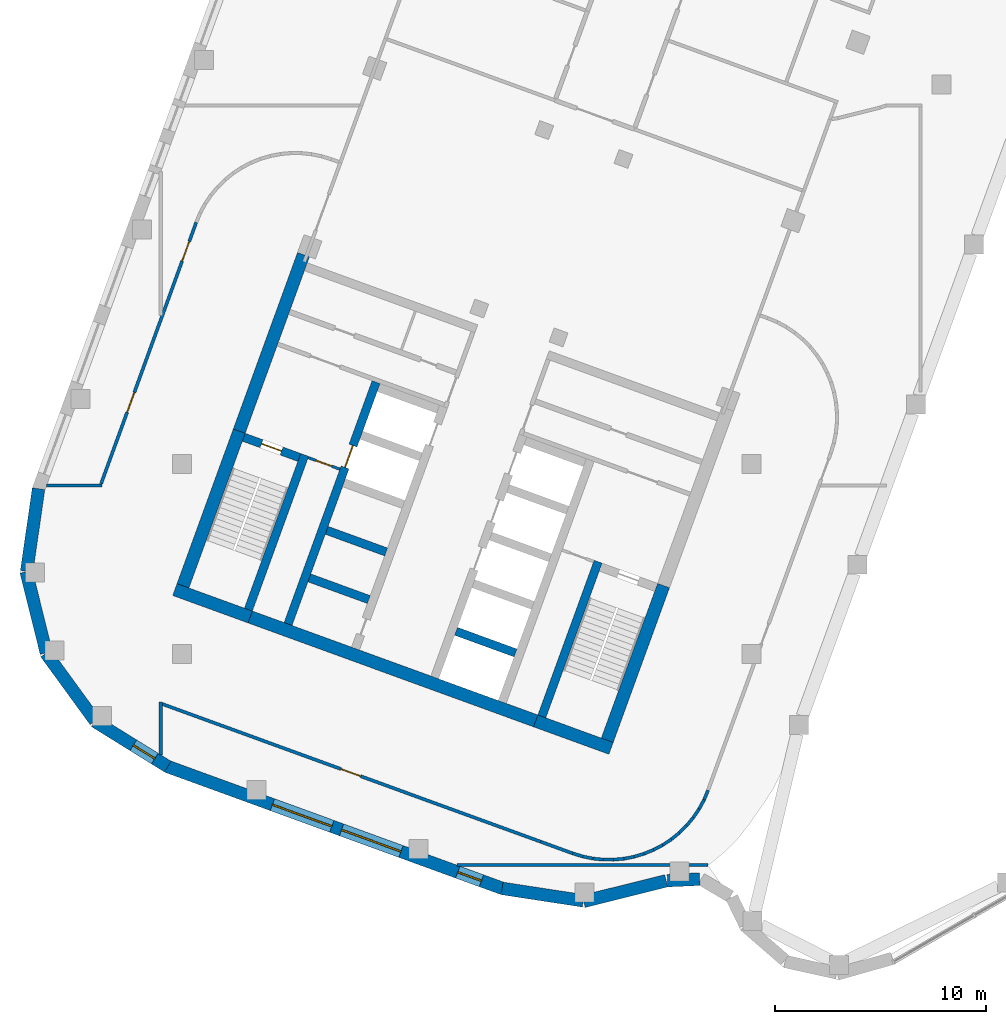
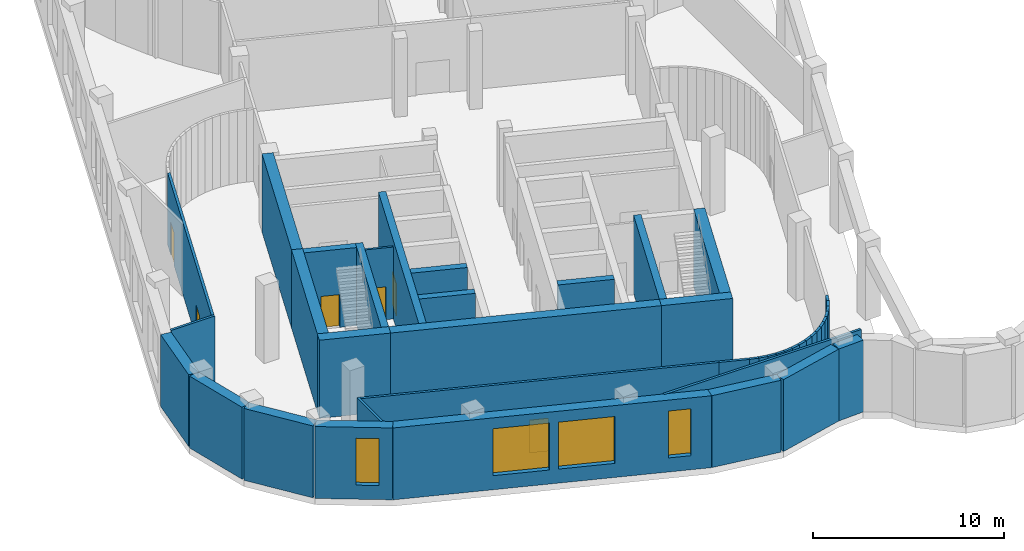
# One storey, part 10 of 25: 44 walls, 6 doors, 4 windows, 10 openings.
"""IFC4 building model written with IfcOpenShell, lengths in metres."""

from ifc_helpers import new_model, si_unit, direction, frame, frame_2d, origin, place, context, subcontext, project, spatial, rectangle, extrude, material, layer, layer_set, type_object, element, fill, save


model = new_model("IFC4")

# Units and contexts
model_context = context("Model", 3, precision=1e-05, world=origin(), true_north=direction((0.0, 1.0)))
body_context = subcontext(model_context, "Body", "Model", "MODEL_VIEW")
ifc_project = project(units=[si_unit("LENGTHUNIT", "METRE"), si_unit("AREAUNIT", "SQUARE_METRE"), si_unit("VOLUMEUNIT", "CUBIC_METRE"), si_unit("PLANEANGLEUNIT", "RADIAN"), si_unit("MASSUNIT", "GRAM", prefix="KILO")], contexts=[model_context])

# Site, building, storey
site_placement = place(None, origin())
site = spatial("IfcSite", under=ifc_project, at=site_placement, CompositionType="ELEMENT")
building_placement = place(site_placement, origin())
building = spatial("IfcBuilding", under=site, at=building_placement, Name="Skarvind Civic Tower", CompositionType="ELEMENT")
storey_placement = place(building_placement, frame((0.0, 0.0, 7.5)))
storey = spatial("IfcBuildingStorey", under=building, at=storey_placement, Name="L01", CompositionType="ELEMENT", Elevation=7.5)

# Walls
ifc_material_1 = material(Name="Concrete C80", Category="concrete")
ifc_layer_1 = layer(ifc_material_1, 0.39990234375)
ifc_layer_set_1 = layer_set([ifc_layer_1], Name="Core wall 400 C80")
wall_type_1 = type_object("IfcWallType", Name="Core wall 400 C80", PredefinedType="SHEAR", material=ifc_layer_set_1)
for number, where, z_axis, x_axis, name in (
    (1, (36.057861328125, 79.04833984375, 0.0), (0.0, 0.0, 1.0), (0.342016982193, 0.939693771338, 0.0), "Core wall C2 south stair inner L01"),
    (2, (22.150390625, 84.110107421875, 0.0), (0.0, 0.0, 1.0), (0.342016982193, 0.939693771338, 0.0), "Core wall C2 north stair inner L01"),
):
    element("IfcWall", number, at=place(storey_placement, frame(where, z_axis=z_axis, x_axis=x_axis)), inside=storey, type_object=wall_type_1, Name=name, PredefinedType="SHEAR", context=body_context, shape_type="SweptSolid", body=[
        extrude(rectangle(XDim=7.800048828125, YDim=0.39990234375, at=frame_2d((3.89990234375, 0.0))), origin(), (0.0, 0.0, 1.0), 5.0),
    ])

# Wall, opening, door
wall_1_placement = place(storey_placement, frame((24.56201171875, 91.3203125, 0.0), z_axis=(0.0, 0.0, 1.0), x_axis=(-0.939717030584, 0.341953070509, 0.0)))
wall_1 = element("IfcWall", 3, at=wall_1_placement, inside=storey, type_object=wall_type_1, Name="Core wall C2 north stair end L01", PredefinedType="SHEAR", context=body_context, shape_type="SweptSolid", body=[
    extrude(rectangle(XDim=2.800048828125, YDim=0.39990234375, at=frame_2d((1.39990234375, 0.0))), origin(), (0.0, 0.0, 1.0), 5.0),
])
opening_1_placement = place(wall_1_placement, frame((0.89990234375, 0.0, 0.0)))
opening_1 = element("IfcOpeningElement", 4, at=opening_1_placement, cuts=wall_1, Name="Opening D-L01-C2-08", PredefinedType="OPENING", context=body_context, shape_type="SweptSolid", body=[
    extrude(rectangle(XDim=1.0, YDim=2.10009765625, at=frame_2d((0.5, 1.050048828125))), frame((0.0, 0.2099609375, 0.0), z_axis=(0.0, -1.0, 0.0), x_axis=(1.0, 0.0, 0.0)), (0.0, 0.0, 1.0), 0.419921875),
])
ifc_material_2 = material(Name="Fire-rated steel door", Category="steel")
door_type_1 = type_object("IfcDoorType", Name="Fire door 1000", OperationType="NOTDEFINED", PredefinedType="DOOR", material=ifc_material_2)
door_1_placement = place(opening_1_placement, origin())
door_1 = element("IfcDoor", 5, at=door_1_placement, inside=storey, type_object=door_type_1, Name="Fire door", OperationType="SINGLE_SWING_LEFT", OverallHeight=2.10009765625, OverallWidth=1.0, PredefinedType="DOOR", context=body_context, shape_type="SweptSolid", body=[
    extrude(rectangle(XDim=1.0, YDim=2.10009765625, at=frame_2d((0.5, 1.050048828125))), frame((0.0, 0.02490234375, 0.0), z_axis=(0.0, -1.0, 0.0), x_axis=(1.0, 0.0, 0.0)), (0.0, 0.0, 1.0), 0.050048828125),
])
fill(opening_1, door_1)

# Wall
wall_2_placement = place(storey_placement, frame((34.8115234375, 82.055908203125, 0.0), z_axis=(0.0, 0.0, 1.0), x_axis=(-0.939686455819, 0.342037080957, 0.0)))
element("IfcWall", 6, at=wall_2_placement, inside=storey, type_object=wall_type_1, Name="Core wall C2 south lift row division 1 L01", PredefinedType="SHEAR", context=body_context, shape_type="SweptSolid", body=[
    extrude(rectangle(XDim=3.0, YDim=0.39990234375, at=frame_2d((1.5, 0.0))), origin(), (0.0, 0.0, 1.0), 5.0),
])

# Wall, opening, door
wall_3_placement = place(storey_placement, frame((24.02978515625, 83.426025390625, 0.0), z_axis=(0.0, 0.0, 1.0), x_axis=(0.342014590177, 0.939694641948, 0.0)))
wall_3 = element("IfcWall", 7, at=wall_3_placement, inside=storey, type_object=wall_type_1, Name="Core wall C2 north lift row back L01", PredefinedType="SHEAR", context=body_context, shape_type="SweptSolid", body=[
    extrude(rectangle(XDim=12.2001953125, YDim=0.39990234375, at=frame_2d((6.10009765625, 0.0))), origin(), (0.0, 0.0, 1.0), 5.0),
])
opening_2_placement = place(wall_3_placement, frame((7.89990234375, 0.0, 0.0)))
opening_2 = element("IfcOpeningElement", 8, at=opening_2_placement, cuts=wall_3, Name="Opening LD03204", PredefinedType="OPENING", context=body_context, shape_type="SweptSolid", body=[
    extrude(rectangle(XDim=1.10009765625, YDim=2.10009765625, at=frame_2d((0.550048828125, 1.050048828125))), frame((0.0, 0.2099609375, 0.0), z_axis=(0.0, -1.0, 0.0), x_axis=(1.0, 0.0, 0.0)), (0.0, 0.0, 1.0), 0.419921875),
])
ifc_material_3 = material(Name="Stainless steel landing door", Category="steel")
door_type_2 = type_object("IfcDoorType", Name="Lift landing door 1100", OperationType="DOUBLE_DOOR_SLIDING", PredefinedType="DOOR", material=ifc_material_3)
door_2_placement = place(opening_2_placement, origin())
door_2 = element("IfcDoor", 9, at=door_2_placement, inside=storey, type_object=door_type_2, Name="Lift landing door", OperationType="DOUBLE_DOOR_SLIDING", OverallHeight=2.10009765625, OverallWidth=1.10009765625, PredefinedType="DOOR", context=body_context, shape_type="SweptSolid", body=[
    extrude(rectangle(XDim=1.10009765625, YDim=2.10009765625, at=frame_2d((0.550048828125, 1.050048828125))), frame((0.0, 0.02490234375, 0.0), z_axis=(0.0, -1.0, 0.0), x_axis=(1.0, 0.0, 0.0)), (0.0, 0.0, 1.0), 0.050048828125),
])
fill(opening_2, door_2)

# Walls
wall_4_placement = place(storey_placement, frame((27.857666015625, 84.5869140625, 0.0), z_axis=(0.0, 0.0, 1.0), x_axis=(-0.939686455819, 0.342037080957, 0.0)))
element("IfcWall", 10, at=wall_4_placement, inside=storey, type_object=wall_type_1, Name="Core wall C2 north lift row division 1 L01", PredefinedType="SHEAR", context=body_context, shape_type="SweptSolid", body=[
    extrude(rectangle(XDim=3.0, YDim=0.39990234375, at=frame_2d((1.5, 0.0))), origin(), (0.0, 0.0, 1.0), 5.0),
])
wall_5_placement = place(storey_placement, frame((28.678466796875, 86.842041015625, 0.0), z_axis=(0.0, 0.0, 1.0), x_axis=(-0.939676934218, 0.342063238742, 0.0)))
element("IfcWall", 11, at=wall_5_placement, inside=storey, type_object=wall_type_1, Name="Core wall C2 north lift row division 2 L01", PredefinedType="SHEAR", context=body_context, shape_type="SweptSolid", body=[
    extrude(rectangle(XDim=2.999755859375, YDim=0.39990234375, at=frame_2d((1.5, 0.0))), origin(), (0.0, 0.0, 1.0), 5.0),
])
ifc_layer_2 = layer(ifc_material_1, 0.60009765625)
ifc_layer_set_2 = layer_set([ifc_layer_2], Name="Core wall 600 C80")
wall_type_2 = type_object("IfcWallType", Name="Core wall 600 C80", PredefinedType="SHEAR", material=ifc_layer_set_2)
wall_6_placement = place(storey_placement, frame((39.338134765625, 77.53515625, 0.0), z_axis=(0.0, 0.0, 1.0), x_axis=(-0.939701471648, 0.341995824804, 0.0)))
element("IfcWall", 12, at=wall_6_placement, inside=storey, type_object=wall_type_2, Name="Core wall C2 tip at the south stair L01", PredefinedType="SHEAR", context=body_context, shape_type="SweptSolid", body=[
    extrude(rectangle(XDim=3.800048828125, YDim=0.60009765625, at=frame_2d((1.89990234375, 0.0))), origin(), (0.0, 0.0, 1.0), 5.0),
])
wall_7_placement = place(storey_placement, frame((35.767333984375, 78.834716796875, 0.0), z_axis=(0.0, 0.0, 1.0), x_axis=(-0.939692894512, 0.342019391267, 0.0)))
element("IfcWall", 13, at=wall_7_placement, inside=storey, type_object=wall_type_2, Name="Core wall C2 tip between the stairs L01", PredefinedType="SHEAR", context=body_context, shape_type="SweptSolid", body=[
    extrude(rectangle(XDim=14.39990234375, YDim=0.60009765625, at=frame_2d((7.199951171875, 0.0))), origin(), (0.0, 0.0, 1.0), 5.0),
])
wall_8_placement = place(storey_placement, frame((22.23583984375, 83.759765625, 0.0), z_axis=(0.0, 0.0, 1.0), x_axis=(-0.939680822529, 0.342052557032, 0.0)))
element("IfcWall", 14, at=wall_8_placement, inside=storey, type_object=wall_type_2, Name="Core wall C2 tip at the north stair L01", PredefinedType="SHEAR", context=body_context, shape_type="SweptSolid", body=[
    extrude(rectangle(XDim=3.800048828125, YDim=0.60009765625, at=frame_2d((1.89990234375, 0.0))), origin(), (0.0, 0.0, 1.0), 5.0),
])
for number, where, z_axis, x_axis, name in (
    (15, (39.158935546875, 77.919677734375, 0.0), (0.0, 0.0, 1.0), (0.342016982193, 0.939693771338, 0.0), "Core wall C2 south side at the stair L01"),
    (16, (19.049560546875, 85.23876953125, 0.0), (0.0, 0.0, 1.0), (0.342016982193, 0.939693771338, 0.0), "Core wall C2 north side at the stair L01"),
):
    element("IfcWall", number, at=place(storey_placement, frame(where, z_axis=z_axis, x_axis=x_axis)), inside=storey, type_object=wall_type_2, Name=name, PredefinedType="SHEAR", context=body_context, shape_type="SweptSolid", body=[
        extrude(rectangle(XDim=7.800048828125, YDim=0.60009765625, at=frame_2d((3.89990234375, 0.0))), origin(), (0.0, 0.0, 1.0), 5.0),
    ])
wall_9_placement = place(storey_placement, frame((21.71728515625, 92.568359375, 0.0), z_axis=(0.0, 0.0, 1.0), x_axis=(0.342016162452, 0.939694069696, 0.0)))
element("IfcWall", 17, at=wall_9_placement, inside=storey, type_object=wall_type_2, Name="Core wall C2 north side L01", PredefinedType="SHEAR", context=body_context, shape_type="SweptSolid", body=[
    extrude(rectangle(XDim=8.89990234375, YDim=0.60009765625, at=frame_2d((4.449951171875, 0.0))), origin(), (0.0, 0.0, 1.0), 5.0),
])
ifc_material_4 = material(Name="Plasterboard partition on steel studs", Category="steel")
ifc_layer_3 = layer(ifc_material_4, 0.14990234375)
ifc_layer_set_3 = layer_set([ifc_layer_3], Name="PARTITION 150")
wall_type_3 = type_object("IfcWallType", Name="PARTITION 150", PredefinedType="PARTITIONING", material=ifc_layer_set_3)
wall_10_placement = place(storey_placement, frame((12.587890625, 90.0, 0.0), z_axis=(0.0, 0.0, 1.0), x_axis=(1.0, 0.0, 0.0)))
element("IfcWall", 18, at=wall_10_placement, inside=storey, type_object=wall_type_3, Name="Podium partition L01 001", PredefinedType="PARTITIONING", context=body_context, shape_type="SweptSolid", body=[
    extrude(rectangle(XDim=2.629150390625, YDim=0.14990234375, at=frame_2d((1.314453125, 0.0))), origin(), (0.0, 0.0, 1.0), 4.60009765625),
])

# Wall, openings, doors
wall_11_placement = place(storey_placement, frame((15.1689453125, 90.074951171875, 0.0), z_axis=(0.0, 0.0, 1.0), x_axis=(0.342068648332, 0.93967496499, 0.0)))
wall_11 = element("IfcWall", 19, at=wall_11_placement, inside=storey, type_object=wall_type_3, Name="Podium partition L01 002", PredefinedType="PARTITIONING", context=body_context, shape_type="SweptSolid", body=[
    extrude(rectangle(XDim=13.1845703125, YDim=0.14990234375, at=frame_2d((6.59228515625, 0.0))), origin(), (0.0, 0.0, 1.0), 4.60009765625),
])
opening_3_placement = place(wall_11_placement, frame((3.60400390625, 0.0, 0.0)))
opening_3 = element("IfcOpeningElement", 20, at=opening_3_placement, cuts=wall_11, Name="Opening L01-D201", PredefinedType="OPENING", context=body_context, shape_type="SweptSolid", body=[
    extrude(rectangle(XDim=1.0, YDim=2.10009765625, at=frame_2d((0.5, 1.050048828125))), frame((0.0, 0.0849609375, 0.0), z_axis=(0.0, -1.0, 0.0), x_axis=(1.0, 0.0, 0.0)), (0.0, 0.0, 1.0), 0.169921875),
])
opening_4_placement = place(wall_11_placement, frame((11.22705078125, 0.0, 0.0)))
opening_4 = element("IfcOpeningElement", 21, at=opening_4_placement, cuts=wall_11, Name="Opening L01-D202", PredefinedType="OPENING", context=body_context, shape_type="SweptSolid", body=[
    extrude(rectangle(XDim=1.0, YDim=2.10009765625, at=frame_2d((0.5, 1.050048828125))), frame((0.0, 0.0849609375, 0.0), z_axis=(0.0, -1.0, 0.0), x_axis=(1.0, 0.0, 0.0)), (0.0, 0.0, 1.0), 0.169921875),
])
ifc_material_5 = material(Name="Timber veneer door leaf", Category="wood")
door_type_3 = type_object("IfcDoorType", Name="DOOR 1000X2100 TIMBER", OperationType="NOTDEFINED", PredefinedType="DOOR", material=ifc_material_5)
door_3_placement = place(opening_3_placement, origin())
door_3 = element("IfcDoor", 22, at=door_3_placement, inside=storey, type_object=door_type_3, Name="DOOR DOOR", OperationType="SINGLE_SWING_LEFT", OverallHeight=2.10009765625, OverallWidth=1.0, PredefinedType="DOOR", context=body_context, shape_type="SweptSolid", body=[
    extrude(rectangle(XDim=1.0, YDim=2.10009765625, at=frame_2d((0.5, 1.050048828125))), frame((0.0, 0.02490234375, 0.0), z_axis=(0.0, -1.0, 0.0), x_axis=(1.0, 0.0, 0.0)), (0.0, 0.0, 1.0), 0.050048828125),
])
fill(opening_3, door_3)
door_4_placement = place(opening_4_placement, origin())
door_4 = element("IfcDoor", 23, at=door_4_placement, inside=storey, type_object=door_type_3, Name="DOOR DOOR", OperationType="SINGLE_SWING_RIGHT", OverallHeight=2.10009765625, OverallWidth=1.0, PredefinedType="DOOR", context=body_context, shape_type="SweptSolid", body=[
    extrude(rectangle(XDim=1.0, YDim=2.10009765625, at=frame_2d((0.5, 1.050048828125))), frame((0.0, 0.02490234375, 0.0), z_axis=(0.0, -1.0, 0.0), x_axis=(1.0, 0.0, 0.0)), (0.0, 0.0, 1.0), 0.050048828125),
])
fill(opening_4, door_4)

# Wall
wall_12_placement = place(storey_placement, frame((18.0, 77.22509765625, 0.0), z_axis=(0.0, 0.0, 1.0), x_axis=(0.0, 1.0, 0.0)))
element("IfcWall", 24, at=wall_12_placement, inside=storey, type_object=wall_type_3, Name="Podium partition L01 003", PredefinedType="PARTITIONING", context=body_context, shape_type="SweptSolid", body=[
    extrude(rectangle(XDim=2.510986328125, YDim=0.14990234375, at=frame_2d((1.25537109375, 0.0))), origin(), (0.0, 0.0, 1.0), 4.60009765625),
])

# Wall, opening, door
wall_13_placement = place(storey_placement, frame((36.0, 73.110107421875, 0.0), z_axis=(0.0, 0.0, 1.0), x_axis=(-0.939696975073, 0.342008179784, 0.0)))
wall_13 = element("IfcWall", 25, at=wall_13_placement, inside=storey, type_object=wall_type_3, Name="Podium partition L01 004", PredefinedType="PARTITIONING", context=body_context, shape_type="SweptSolid", body=[
    extrude(rectangle(XDim=19.075439453125, YDim=0.14990234375, at=frame_2d((9.53759765625, 0.0))), origin(), (0.0, 0.0, 1.0), 4.60009765625),
])
opening_5_placement = place(wall_13_placement, frame((9.075927734375, 0.0, 0.0)))
opening_5 = element("IfcOpeningElement", 26, at=opening_5_placement, cuts=wall_13, Name="Opening L01-D204", PredefinedType="OPENING", context=body_context, shape_type="SweptSolid", body=[
    extrude(rectangle(XDim=1.0, YDim=2.10009765625, at=frame_2d((0.5, 1.050048828125))), frame((0.0, 0.0849609375, 0.0), z_axis=(0.0, -1.0, 0.0), x_axis=(1.0, 0.0, 0.0)), (0.0, 0.0, 1.0), 0.169921875),
])
door_5_placement = place(opening_5_placement, origin())
door_5 = element("IfcDoor", 27, at=door_5_placement, inside=storey, type_object=door_type_3, Name="DOOR DOOR", OperationType="SINGLE_SWING_LEFT", OverallHeight=2.10009765625, OverallWidth=1.0, PredefinedType="DOOR", context=body_context, shape_type="SweptSolid", body=[
    extrude(rectangle(XDim=1.0, YDim=2.10009765625, at=frame_2d((0.5, 1.050048828125))), frame((0.0, 0.02490234375, 0.0), z_axis=(0.0, -1.0, 0.0), x_axis=(1.0, 0.0, 0.0)), (0.0, 0.0, 1.0), 0.050048828125),
])
fill(opening_5, door_5)

# Walls
wall_14_placement = place(storey_placement, frame((32.031982421875, 72.0, 0.0), z_axis=(0.0, 0.0, 1.0), x_axis=(1.0, 0.0, 0.0)))
element("IfcWall", 28, at=wall_14_placement, inside=storey, type_object=wall_type_3, Name="Podium partition L01 039", PredefinedType="PARTITIONING", context=body_context, shape_type="SweptSolid", body=[
    extrude(rectangle(XDim=11.903076171875, YDim=0.14990234375, at=frame_2d((5.95166015625, 0.0))), origin(), (0.0, 0.0, 1.0), 4.60009765625),
])
wall_15_placement = place(storey_placement, frame((36.0, 73.110107421875, 0.0), z_axis=(0.0, 0.0, 1.0), x_axis=(0.939696948785, -0.34200825201, 0.0)))
element("IfcWall", 29, at=wall_15_placement, inside=storey, type_object=wall_type_3, Name="Podium partition L01 041", PredefinedType="PARTITIONING", context=body_context, shape_type="SweptSolid", body=[
    extrude(rectangle(XDim=1.626220703125, YDim=0.14990234375, at=frame_2d((0.81298828125, 0.0))), origin(), (0.0, 0.0, 1.0), 4.60009765625),
])
wall_16_placement = place(storey_placement, frame((37.52392578125, 72.555908203125, 0.0), z_axis=(0.0, 0.0, 1.0), x_axis=(0.954987142797, -0.296647192964, 0.0)))
element("IfcWall", 30, at=wall_16_placement, inside=storey, type_object=wall_type_3, Name="Podium partition L01 044", PredefinedType="PARTITIONING", context=body_context, shape_type="SweptSolid", body=[
    extrude(rectangle(XDim=0.495361328125, YDim=0.14990234375, at=frame_2d((0.24755859375, 0.0))), origin(), (0.0, 0.0, 1.0), 4.60009765625),
])
wall_17_placement = place(storey_placement, frame((37.989990234375, 72.410888671875, 0.0), z_axis=(0.0, 0.0, 1.0), x_axis=(0.979397350706, -0.201942638962, 0.0)))
element("IfcWall", 31, at=wall_17_placement, inside=storey, type_object=wall_type_3, Name="Podium partition L01 045", PredefinedType="PARTITIONING", context=body_context, shape_type="SweptSolid", body=[
    extrude(rectangle(XDim=0.499267578125, YDim=0.14990234375, at=frame_2d((0.24951171875, 0.0))), origin(), (0.0, 0.0, 1.0), 4.60009765625),
])
wall_18_placement = place(storey_placement, frame((38.470947265625, 72.31103515625, 0.0), z_axis=(0.0, 0.0, 1.0), x_axis=(0.994949544905, -0.100376307434, 0.0)))
element("IfcWall", 32, at=wall_18_placement, inside=storey, type_object=wall_type_3, Name="Podium partition L01 047", PredefinedType="PARTITIONING", context=body_context, shape_type="SweptSolid", body=[
    extrude(rectangle(XDim=0.49853515625, YDim=0.14990234375, at=frame_2d((0.249267578125, 0.0))), origin(), (0.0, 0.0, 1.0), 4.60009765625),
])
wall_19_placement = place(storey_placement, frame((38.958984375, 72.260986328125, 0.0), z_axis=(0.0, 0.0, 1.0), x_axis=(0.999982767056, -0.005870740315, 0.0)))
element("IfcWall", 33, at=wall_19_placement, inside=storey, type_object=wall_type_3, Name="Podium partition L01 048", PredefinedType="PARTITIONING", context=body_context, shape_type="SweptSolid", body=[
    extrude(rectangle(XDim=0.4990234375, YDim=0.14990234375, at=frame_2d((0.24951171875, 0.0))), origin(), (0.0, 0.0, 1.0), 4.60009765625),
])
wall_20_placement = place(storey_placement, frame((39.449951171875, 72.258056640625, 0.0), z_axis=(0.0, 0.0, 1.0), x_axis=(0.995925282781, 0.090182210646, 0.0)))
element("IfcWall", 34, at=wall_20_placement, inside=storey, type_object=wall_type_3, Name="Podium partition L01 049", PredefinedType="PARTITIONING", context=body_context, shape_type="SweptSolid", body=[
    extrude(rectangle(XDim=0.498046875, YDim=0.14990234375, at=frame_2d((0.2490234375, 0.0))), origin(), (0.0, 0.0, 1.0), 4.60009765625),
])
wall_21_placement = place(storey_placement, frame((39.93798828125, 72.302001953125, 0.0), z_axis=(0.0, 0.0, 1.0), x_axis=(0.981729772821, 0.190280459207, 0.0)))
element("IfcWall", 35, at=wall_21_placement, inside=storey, type_object=wall_type_3, Name="Podium partition L01 050", PredefinedType="PARTITIONING", context=body_context, shape_type="SweptSolid", body=[
    extrude(rectangle(XDim=0.4990234375, YDim=0.14990234375, at=frame_2d((0.24951171875, 0.0))), origin(), (0.0, 0.0, 1.0), 4.60009765625),
])
wall_22_placement = place(storey_placement, frame((40.419921875, 72.39501953125, 0.0), z_axis=(0.0, 0.0, 1.0), x_axis=(0.958550811735, 0.284921640669, 0.0)))
element("IfcWall", 36, at=wall_22_placement, inside=storey, type_object=wall_type_3, Name="Podium partition L01 051", PredefinedType="PARTITIONING", context=body_context, shape_type="SweptSolid", body=[
    extrude(rectangle(XDim=0.498779296875, YDim=0.14990234375, at=frame_2d((0.24951171875, 0.0))), origin(), (0.0, 0.0, 1.0), 4.60009765625),
])
for number, where, z_axis, x_axis, name in (
    (37, (40.89111328125, 72.534912109375, 0.0), (0.0, 0.0, 1.0), (0.925952664904, 0.377639593208, 0.0), "Podium partition L01 054"),
    (38, (41.345947265625, 72.719970703125, 0.0), (0.0, 0.0, 1.0), (0.883787916347, 0.467887720419, 0.0), "Podium partition L01 055"),
):
    element("IfcWall", number, at=place(storey_placement, frame(where, z_axis=z_axis, x_axis=x_axis)), inside=storey, type_object=wall_type_3, Name=name, PredefinedType="PARTITIONING", context=body_context, shape_type="SweptSolid", body=[
        extrude(rectangle(XDim=0.497802734375, YDim=0.14990234375, at=frame_2d((0.2490234375, 0.0))), origin(), (0.0, 0.0, 1.0), 4.60009765625),
    ])
wall_23_placement = place(storey_placement, frame((41.780029296875, 72.948974609375, 0.0), z_axis=(0.0, 0.0, 1.0), x_axis=(0.834609406562, 0.550842208331, 0.0)))
element("IfcWall", 39, at=wall_23_placement, inside=storey, type_object=wall_type_3, Name="Podium partition L01 056", PredefinedType="PARTITIONING", context=body_context, shape_type="SweptSolid", body=[
    extrude(rectangle(XDim=0.497314453125, YDim=0.14990234375, at=frame_2d((0.24853515625, 0.0))), origin(), (0.0, 0.0, 1.0), 4.60009765625),
])
wall_24_placement = place(storey_placement, frame((42.18896484375, 73.218994140625, 0.0), z_axis=(0.0, 0.0, 1.0), x_axis=(0.777507544785, 0.628873610356, 0.0)))
element("IfcWall", 40, at=wall_24_placement, inside=storey, type_object=wall_type_3, Name="Podium partition L01 059", PredefinedType="PARTITIONING", context=body_context, shape_type="SweptSolid", body=[
    extrude(rectangle(XDim=0.497802734375, YDim=0.14990234375, at=frame_2d((0.2490234375, 0.0))), origin(), (0.0, 0.0, 1.0), 4.60009765625),
])
wall_25_placement = place(storey_placement, frame((42.570068359375, 73.527099609375, 0.0), z_axis=(0.0, 0.0, 1.0), x_axis=(0.711252497293, 0.702936615275, 0.0)))
element("IfcWall", 41, at=wall_25_placement, inside=storey, type_object=wall_type_3, Name="Podium partition L01 060", PredefinedType="PARTITIONING", context=body_context, shape_type="SweptSolid", body=[
    extrude(rectangle(XDim=0.4990234375, YDim=0.14990234375, at=frame_2d((0.24951171875, 0.0))), origin(), (0.0, 0.0, 1.0), 4.60009765625),
])
wall_26_placement = place(storey_placement, frame((42.919921875, 73.8720703125, 0.0), z_axis=(0.0, 0.0, 1.0), x_axis=(0.636754760492, 0.771066388186, 0.0)))
element("IfcWall", 42, at=wall_26_placement, inside=storey, type_object=wall_type_3, Name="Podium partition L01 062", PredefinedType="PARTITIONING", context=body_context, shape_type="SweptSolid", body=[
    extrude(rectangle(XDim=0.498046875, YDim=0.14990234375, at=frame_2d((0.2490234375, 0.0))), origin(), (0.0, 0.0, 1.0), 4.60009765625),
])
wall_27_placement = place(storey_placement, frame((43.23291015625, 74.25, 0.0), z_axis=(0.0, 0.0, 1.0), x_axis=(0.560685437924, 0.828028888203, 0.0)))
element("IfcWall", 43, at=wall_27_placement, inside=storey, type_object=wall_type_3, Name="Podium partition L01 063", PredefinedType="PARTITIONING", context=body_context, shape_type="SweptSolid", body=[
    extrude(rectangle(XDim=0.497802734375, YDim=0.14990234375, at=frame_2d((0.2490234375, 0.0))), origin(), (0.0, 0.0, 1.0), 4.60009765625),
])
wall_28_placement = place(storey_placement, frame((43.508056640625, 74.656005859375, 0.0), z_axis=(0.0, 0.0, 1.0), x_axis=(0.47751332042, 0.878624509573, 0.0)))
element("IfcWall", 44, at=wall_28_placement, inside=storey, type_object=wall_type_3, Name="Podium partition L01 064", PredefinedType="PARTITIONING", context=body_context, shape_type="SweptSolid", body=[
    extrude(rectangle(XDim=0.49853515625, YDim=0.14990234375, at=frame_2d((0.249267578125, 0.0))), origin(), (0.0, 0.0, 1.0), 4.60009765625),
])
wall_29_placement = place(storey_placement, frame((43.742919921875, 75.087890625, 0.0), z_axis=(0.0, 0.0, 1.0), x_axis=(0.387550596891, 0.921848433773, 0.0)))
element("IfcWall", 45, at=wall_29_placement, inside=storey, type_object=wall_type_3, Name="Podium partition L01 066", PredefinedType="PARTITIONING", context=body_context, shape_type="SweptSolid", body=[
    extrude(rectangle(XDim=0.495849609375, YDim=0.14990234375, at=frame_2d((0.248046875, 0.0))), origin(), (0.0, 0.0, 1.0), 4.60009765625),
])

# Wall, opening, door
ifc_material_6 = material(Name="Fire-rated masonry partition", Category="masonry")
ifc_layer_4 = layer(ifc_material_6, 0.125)
ifc_layer_set_4 = layer_set([ifc_layer_4], Name="Riser wall 125")
wall_type_4 = type_object("IfcWallType", Name="Riser wall 125", PredefinedType="PARTITIONING", material=ifc_layer_set_4)
wall_30_placement = place(storey_placement, frame((24.98486328125, 91.3125, 0.0), z_axis=(0.0, 0.0, 1.0), x_axis=(0.939708740826, -0.341975850632, 0.0)))
wall_30 = element("IfcWall", 46, at=wall_30_placement, inside=storey, type_object=wall_type_4, Name="Core wall C2", PredefinedType="PARTITIONING", context=body_context, shape_type="SweptSolid", body=[
    extrude(rectangle(XDim=1.599853515625, YDim=0.125, at=frame_2d((0.7998046875, 0.0))), origin(), (0.0, 0.0, 1.0), 4.60009765625),
])
opening_6_placement = place(wall_30_placement, frame((0.39990234375, 0.0, 0.0)))
opening_6 = element("IfcOpeningElement", 47, at=opening_6_placement, cuts=wall_30, Name="Opening D-L01-C2-09", PredefinedType="OPENING", context=body_context, shape_type="SweptSolid", body=[
    extrude(rectangle(XDim=0.800048828125, YDim=2.10009765625, at=frame_2d((0.39990234375, 1.050048828125))), frame((0.0, 0.072509765625, 0.0), z_axis=(0.0, -1.0, 0.0), x_axis=(1.0, 0.0, 0.0)), (0.0, 0.0, 1.0), 0.14501953125),
])
door_type_4 = type_object("IfcDoorType", Name="Core riser door 800", OperationType="NOTDEFINED", PredefinedType="DOOR", material=ifc_material_2)
door_6_placement = place(opening_6_placement, origin())
door_6 = element("IfcDoor", 48, at=door_6_placement, inside=storey, type_object=door_type_4, Name="Riser door", OperationType="SINGLE_SWING_RIGHT", OverallHeight=2.10009765625, OverallWidth=0.800048828125, PredefinedType="DOOR", context=body_context, shape_type="SweptSolid", body=[
    extrude(rectangle(XDim=0.800048828125, YDim=2.10009765625, at=frame_2d((0.39990234375, 1.050048828125))), frame((0.0, 0.02490234375, 0.0), z_axis=(0.0, -1.0, 0.0), x_axis=(1.0, 0.0, 0.0)), (0.0, 0.0, 1.0), 0.050048828125),
])
fill(opening_6, door_6)

# Walls
ifc_material_7 = material(Name="Limestone masonry cladding on insulated backing", Category="masonry")
ifc_layer_5 = layer(ifc_material_7, 0.60009765625)
ifc_layer_set_5 = layer_set([ifc_layer_5], Name="WX1 STONE FACADE WALL 600")
wall_type_5 = type_object("IfcWallType", Name="WX1 STONE FACADE WALL 600", PredefinedType="SOLIDWALL", material=ifc_layer_set_5)
wall_31_placement = place(storey_placement, frame((11.640869140625, 85.919677734375, 0.0), z_axis=(0.0, 0.0, 1.0), x_axis=(0.142240980655, 0.989832058191, 0.0)))
element("IfcWall", 49, at=wall_31_placement, inside=storey, type_object=wall_type_5, Name="STONE FACADE WALL", PredefinedType="SOLIDWALL", context=body_context, shape_type="SweptSolid", body=[
    extrude(rectangle(XDim=3.96142578125, YDim=0.60009765625, at=frame_2d((1.980712890625, 0.0))), origin(), (0.0, 0.0, 1.0), 4.60009765625),
])
for number, where, z_axis, x_axis, name in (
    (50, (12.571044921875, 82.06103515625, 0.0), (0.0, 0.0, 1.0), (-0.240896747667, 0.970550749298, 0.0), "STONE FACADE WALL"),
    (51, (14.885498046875, 78.836669921875, 0.0), (0.0, 0.0, 1.0), (-0.588600339707, 0.808424170901, 0.0), "STONE FACADE WALL"),
):
    element("IfcWall", number, at=place(storey_placement, frame(where, z_axis=z_axis, x_axis=x_axis)), inside=storey, type_object=wall_type_5, Name=name, PredefinedType="SOLIDWALL", context=body_context, shape_type="SweptSolid", body=[
        extrude(rectangle(XDim=3.961669921875, YDim=0.60009765625, at=frame_2d((1.98095703125, 0.0))), origin(), (0.0, 0.0, 1.0), 4.60009765625),
    ])

# Wall, opening, window
wall_32_placement = place(storey_placement, frame((18.32861328125, 76.668212890625, 0.0), z_axis=(0.0, 0.0, 1.0), x_axis=(-0.849679171995, 0.527300013918, 0.0)))
wall_32 = element("IfcWall", 52, at=wall_32_placement, inside=storey, type_object=wall_type_5, Name="STONE FACADE WALL", PredefinedType="SOLIDWALL", context=body_context, shape_type="SweptSolid", body=[
    extrude(rectangle(XDim=4.0615234375, YDim=0.60009765625, at=frame_2d((2.03076171875, 0.0))), origin(), (0.0, 0.0, 1.0), 4.60009765625),
])
opening_7_placement = place(wall_32_placement, frame((0.722900390625, 0.0, 0.89990234375)))
opening_7 = element("IfcOpeningElement", 53, at=opening_7_placement, cuts=wall_32, Name="Opening WN6", PredefinedType="OPENING", context=body_context, shape_type="SweptSolid", body=[
    extrude(rectangle(XDim=1.199951171875, YDim=3.0, at=frame_2d((0.60009765625, 1.5))), frame((0.0, 0.31005859375, 0.0), z_axis=(0.0, -1.0, 0.0), x_axis=(1.0, 0.0, 0.0)), (0.0, 0.0, 1.0), 0.6201171875),
])
ifc_material_8 = material(Name="Timber frame, double glazing, timber-lined reveal", Category="wood")
window_type_1 = type_object("IfcWindowType", Name="WN6 NARROW PODIUM WINDOW 1200 x 3000", PartitioningType="SINGLE_PANEL", PredefinedType="WINDOW", material=ifc_material_8)
window_1_placement = place(opening_7_placement, origin())
window_1 = element("IfcWindow", 54, at=window_1_placement, inside=storey, type_object=window_type_1, Name="WN6 WINDOW", OverallHeight=3.0, OverallWidth=1.199951171875, PartitioningType="SINGLE_PANEL", PredefinedType="WINDOW", context=body_context, shape_type="SweptSolid", body=[
    extrude(rectangle(XDim=1.199951171875, YDim=3.0, at=frame_2d((0.60009765625, 1.5))), frame((0.0, 0.030029296875, 0.0), z_axis=(0.0, -1.0, 0.0), x_axis=(1.0, 0.0, 0.0)), (0.0, 0.0, 1.0), 0.06005859375),
])
fill(opening_7, window_1)

# Wall, openings, windows
wall_33_placement = place(storey_placement, frame((34.2041015625, 70.890380859375, 0.0), z_axis=(0.0, 0.0, 1.0), x_axis=(-0.939693996621, 0.342016363227, 0.0)))
wall_33 = element("IfcWall", 55, at=wall_33_placement, inside=storey, type_object=wall_type_5, Name="STONE FACADE WALL", PredefinedType="SOLIDWALL", context=body_context, shape_type="SweptSolid", body=[
    extrude(rectangle(XDim=16.92626953125, YDim=0.60009765625, at=frame_2d((8.463134765625, 0.0))), origin(), (0.0, 0.0, 1.0), 4.60009765625),
])
opening_8_placement = place(wall_33_placement, frame((1.07080078125, 0.0, 0.89990234375)))
opening_8 = element("IfcOpeningElement", 56, at=opening_8_placement, cuts=wall_33, Name="Opening WN6", PredefinedType="OPENING", context=body_context, shape_type="SweptSolid", body=[
    extrude(rectangle(XDim=1.199951171875, YDim=3.0, at=frame_2d((0.60009765625, 1.5))), frame((0.0, 0.31005859375, 0.0), z_axis=(0.0, -1.0, 0.0), x_axis=(1.0, 0.0, 0.0)), (0.0, 0.0, 1.0), 0.6201171875),
])
opening_9_placement = place(wall_33_placement, frame((5.128662109375, 0.0, 0.89990234375)))
opening_9 = element("IfcOpeningElement", 57, at=opening_9_placement, cuts=wall_33, Name="Opening WN2", PredefinedType="OPENING", context=body_context, shape_type="SweptSolid", body=[
    extrude(rectangle(XDim=3.0, YDim=3.0, at=frame_2d((1.5, 1.5))), frame((0.0, 0.31005859375, 0.0), z_axis=(0.0, -1.0, 0.0), x_axis=(1.0, 0.0, 0.0)), (0.0, 0.0, 1.0), 0.6201171875),
])
opening_10_placement = place(wall_33_placement, frame((8.61767578125, 0.0, 0.89990234375)))
opening_10 = element("IfcOpeningElement", 58, at=opening_10_placement, cuts=wall_33, Name="Opening WN2", PredefinedType="OPENING", context=body_context, shape_type="SweptSolid", body=[
    extrude(rectangle(XDim=3.0, YDim=3.0, at=frame_2d((1.5, 1.5))), frame((0.0, 0.31005859375, 0.0), z_axis=(0.0, -1.0, 0.0), x_axis=(1.0, 0.0, 0.0)), (0.0, 0.0, 1.0), 0.6201171875),
])
window_type_2 = type_object("IfcWindowType", Name="WN2 PODIUM STONE WINDOW 3000 x 3000", PartitioningType="SINGLE_PANEL", PredefinedType="WINDOW", material=ifc_material_8)
window_2_placement = place(opening_9_placement, origin())
window_2 = element("IfcWindow", 59, at=window_2_placement, inside=storey, type_object=window_type_2, Name="WN2 WINDOW", OverallHeight=3.0, OverallWidth=3.0, PartitioningType="SINGLE_PANEL", PredefinedType="WINDOW", context=body_context, shape_type="SweptSolid", body=[
    extrude(rectangle(XDim=3.0, YDim=3.0, at=frame_2d((1.5, 1.5))), frame((0.0, 0.030029296875, 0.0), z_axis=(0.0, -1.0, 0.0), x_axis=(1.0, 0.0, 0.0)), (0.0, 0.0, 1.0), 0.06005859375),
])
fill(opening_9, window_2)
window_3_placement = place(opening_10_placement, origin())
window_3 = element("IfcWindow", 60, at=window_3_placement, inside=storey, type_object=window_type_2, Name="WN2 WINDOW", OverallHeight=3.0, OverallWidth=3.0, PartitioningType="SINGLE_PANEL", PredefinedType="WINDOW", context=body_context, shape_type="SweptSolid", body=[
    extrude(rectangle(XDim=3.0, YDim=3.0, at=frame_2d((1.5, 1.5))), frame((0.0, 0.030029296875, 0.0), z_axis=(0.0, -1.0, 0.0), x_axis=(1.0, 0.0, 0.0)), (0.0, 0.0, 1.0), 0.06005859375),
])
fill(opening_10, window_3)
window_4_placement = place(opening_8_placement, origin())
window_4 = element("IfcWindow", 61, at=window_4_placement, inside=storey, type_object=window_type_1, Name="WN6 WINDOW", OverallHeight=3.0, OverallWidth=1.199951171875, PartitioningType="SINGLE_PANEL", PredefinedType="WINDOW", context=body_context, shape_type="SweptSolid", body=[
    extrude(rectangle(XDim=1.199951171875, YDim=3.0, at=frame_2d((0.60009765625, 1.5))), frame((0.0, 0.030029296875, 0.0), z_axis=(0.0, -1.0, 0.0), x_axis=(1.0, 0.0, 0.0)), (0.0, 0.0, 1.0), 0.06005859375),
])
fill(opening_8, window_4)

# Walls
wall_34_placement = place(storey_placement, frame((38.021728515625, 70.30810546875, 0.0), z_axis=(0.0, 0.0, 1.0), x_axis=(-0.98857030495, 0.150760578968, 0.0)))
element("IfcWall", 62, at=wall_34_placement, inside=storey, type_object=wall_type_5, Name="STONE FACADE WALL", PredefinedType="SOLIDWALL", context=body_context, shape_type="SweptSolid", body=[
    extrude(rectangle(XDim=3.891357421875, YDim=0.60009765625, at=frame_2d((1.94580078125, 0.0))), origin(), (0.0, 0.0, 1.0), 4.60009765625),
])
wall_35_placement = place(storey_placement, frame((41.9541015625, 71.25537109375, 0.0), z_axis=(0.0, 0.0, 1.0), x_axis=(-0.970377180078, -0.241594967628, 0.0)))
element("IfcWall", 63, at=wall_35_placement, inside=storey, type_object=wall_type_5, Name="STONE FACADE WALL", PredefinedType="SOLIDWALL", context=body_context, shape_type="SweptSolid", body=[
    extrude(rectangle(XDim=4.031005859375, YDim=0.60009765625, at=frame_2d((2.015625, 0.0))), origin(), (0.0, 0.0, 1.0), 4.60009765625),
])
wall_36_placement = place(storey_placement, frame((43.538330078125, 71.335205078125, 0.0), z_axis=(0.0, 0.0, 1.0), x_axis=(-0.998910056035, -0.046676546065, 0.0)))
element("IfcWall", 64, at=wall_36_placement, inside=storey, type_object=wall_type_5, Name="STONE FACADE WALL", PredefinedType="SOLIDWALL", context=body_context, shape_type="SweptSolid", body=[
    extrude(rectangle(XDim=1.52734375, YDim=0.60009765625, at=frame_2d((0.763671875, 0.0))), origin(), (0.0, 0.0, 1.0), 4.60009765625),
])

save(model, "model.ifc")
